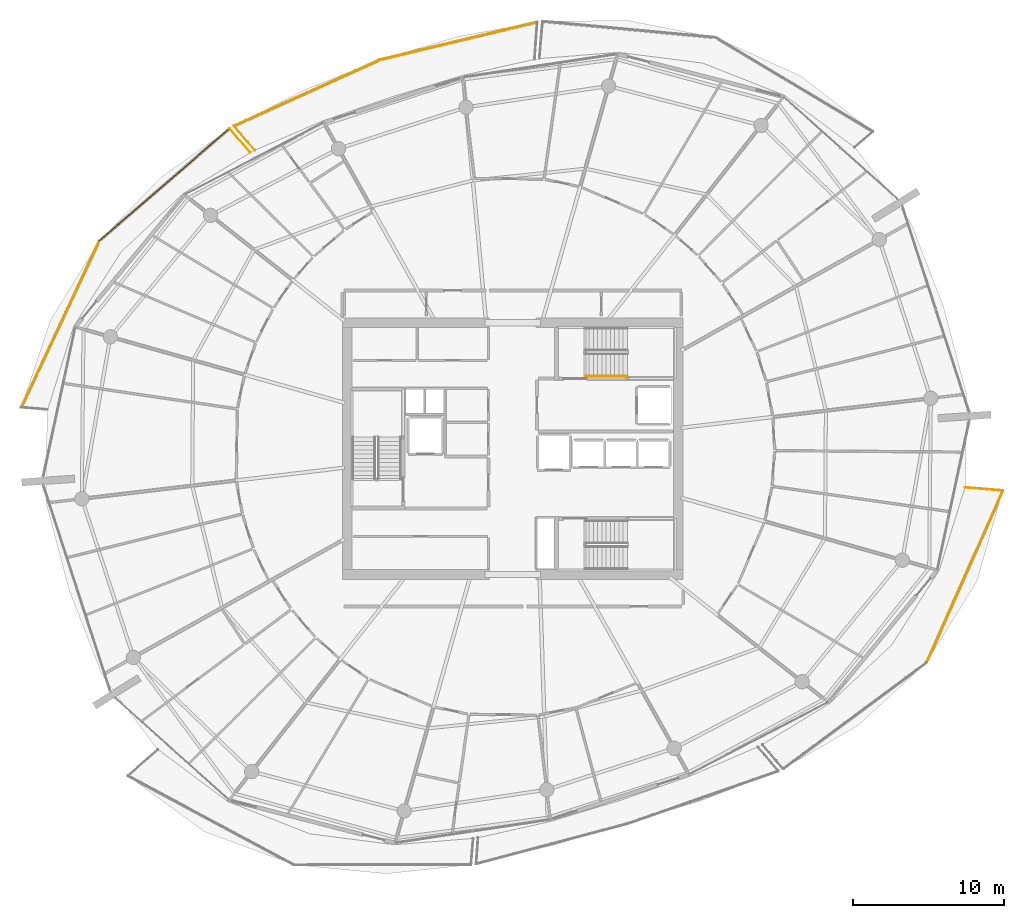
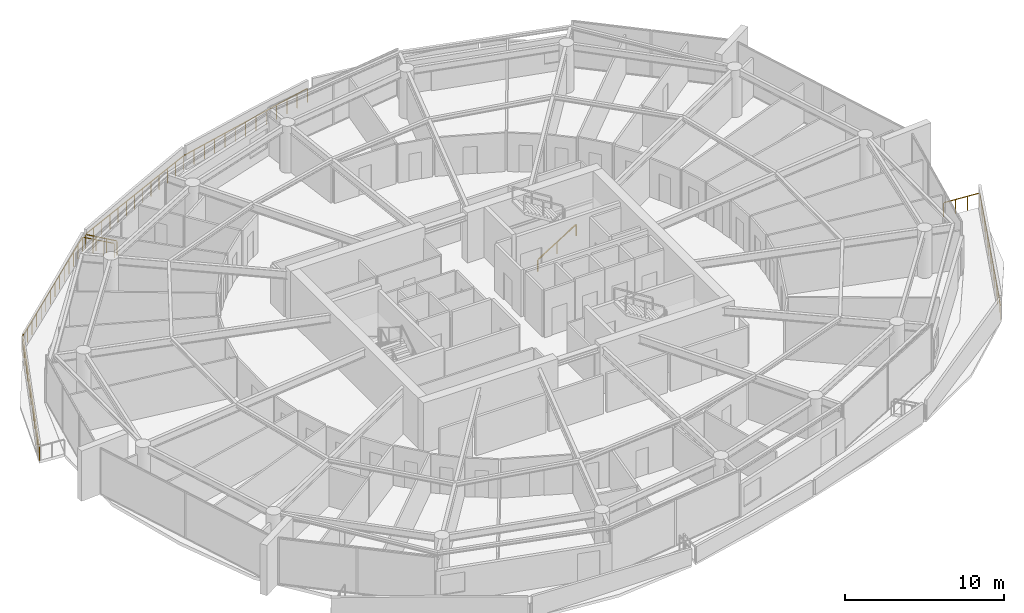
# One storey, part 29 of 31: 9 railings.
"""IFC4 building model written with IfcOpenShell, lengths in metres."""

from ifc_helpers import new_model, si_unit, direction, frame, origin, origin_2d, place, context, subcontext, project, spatial, rectangle, extrude, material, type_object, element, save


model = new_model("IFC4")

# Units and contexts
model_context = context("Model", 3, precision=1e-05, world=origin(), true_north=direction((0.0, 1.0)))
body_context = subcontext(model_context, "Body", "Model", "MODEL_VIEW")
ifc_project = project(units=[si_unit("LENGTHUNIT", "METRE"), si_unit("AREAUNIT", "SQUARE_METRE"), si_unit("VOLUMEUNIT", "CUBIC_METRE"), si_unit("PLANEANGLEUNIT", "RADIAN"), si_unit("MASSUNIT", "GRAM", prefix="KILO")], contexts=[model_context])

# Site, building, storey
site_placement = place(None, origin())
site = spatial("IfcSite", under=ifc_project, at=site_placement, CompositionType="ELEMENT")
building_placement = place(site_placement, origin())
building = spatial("IfcBuilding", under=site, at=building_placement, Name="Kazma Halo Residences", CompositionType="ELEMENT")
storey_placement = place(building_placement, frame((0.0, 0.0, 248.25)))
storey = spatial("IfcBuildingStorey", under=building, at=storey_placement, Name="L62", CompositionType="ELEMENT", Elevation=248.25)

# Railings
ifc_material_1 = material(Name="Aluminium AW-6063 T6 Brushed Cap Rail", Category="aluminium")
railing_type_1 = type_object("IfcRailingType", Name="RLG-BAL-CAP-1120", PredefinedType="BALUSTRADE", material=ifc_material_1)
railing_1_placement = place(storey_placement, frame((50.047607421875, 70.219482421875, 0.0)))
element("IfcRailing", 1, at=railing_1_placement, inside=storey, type_object=railing_type_1, Name="L62 NNW wave balcony guard 2", PredefinedType="BALUSTRADE", context=body_context, shape_type="SweptSolid", body=[
    extrude(rectangle(XDim=0.050048828125, YDim=0.050048828125, at=origin_2d()), frame((-0.041259765625, -0.010009765625, 1.09521484375), z_axis=(-0.972324307013, -0.233635275573, 0.0), x_axis=(0.233635275573, -0.972324307013, 0.0)), (0.0, 0.0, 1.0), 10.615234375),
    extrude(rectangle(XDim=0.0400390625, YDim=0.0400390625, at=origin_2d()), origin(), (0.0, 0.0, 1.0), 1.05810546875),
    extrude(rectangle(XDim=0.0400390625, YDim=0.0400390625, at=origin_2d()), frame((-0.866943359375, -0.208251953125, 0.0)), (0.0, 0.0, 1.0), 1.05810546875),
    extrude(rectangle(XDim=0.0400390625, YDim=0.0400390625, at=origin_2d()), frame((-1.734130859375, -0.416748046875, 0.0)), (0.0, 0.0, 1.0), 1.05810546875),
    extrude(rectangle(XDim=0.0400390625, YDim=0.0400390625, at=origin_2d()), frame((-2.60107421875, -0.625, 0.0)), (0.0, 0.0, 1.0), 1.05810546875),
    extrude(rectangle(XDim=0.0400390625, YDim=0.0400390625, at=origin_2d()), frame((-3.468017578125, -0.833251953125, 0.0)), (0.0, 0.0, 1.0), 1.05810546875),
    extrude(rectangle(XDim=0.0400390625, YDim=0.0400390625, at=origin_2d()), frame((-4.335205078125, -1.041748046875, 0.0)), (0.0, 0.0, 1.0), 1.05810546875),
    extrude(rectangle(XDim=0.0400390625, YDim=0.0400390625, at=origin_2d()), frame((-5.2021484375, -1.25, 0.0)), (0.0, 0.0, 1.0), 1.05810546875),
    extrude(rectangle(XDim=0.0400390625, YDim=0.0400390625, at=origin_2d()), frame((-6.069091796875, -1.458251953125, 0.0)), (0.0, 0.0, 1.0), 1.05810546875),
    extrude(rectangle(XDim=0.0400390625, YDim=0.0400390625, at=origin_2d()), frame((-6.936279296875, -1.666748046875, 0.0)), (0.0, 0.0, 1.0), 1.05810546875),
    extrude(rectangle(XDim=0.0400390625, YDim=0.0400390625, at=origin_2d()), frame((-7.80322265625, -1.875, 0.0)), (0.0, 0.0, 1.0), 1.05810546875),
    extrude(rectangle(XDim=0.0400390625, YDim=0.0400390625, at=origin_2d()), frame((-8.670166015625, -2.083251953125, 0.0)), (0.0, 0.0, 1.0), 1.05810546875),
    extrude(rectangle(XDim=0.0400390625, YDim=0.0400390625, at=origin_2d()), frame((-9.537353515625, -2.291748046875, 0.0)), (0.0, 0.0, 1.0), 1.05810546875),
    extrude(rectangle(XDim=0.0400390625, YDim=0.0400390625, at=origin_2d()), frame((-10.404296875, -2.5, 0.0)), (0.0, 0.0, 1.0), 1.05810546875),
])
railing_2_placement = place(storey_placement, frame((39.643310546875, 67.719482421875, 0.0)))
element("IfcRailing", 2, at=railing_2_placement, inside=storey, type_object=railing_type_1, Name="L62 NNW wave balcony guard 3", PredefinedType="BALUSTRADE", context=body_context, shape_type="SweptSolid", body=[
    extrude(rectangle(XDim=0.050048828125, YDim=0.050048828125, at=origin_2d()), frame((-0.038818359375, -0.017578125, 1.09521484375), z_axis=(-0.910908594926, -0.412608206039, 0.0), x_axis=(0.412608206039, -0.910908594926, 0.0)), (0.0, 0.0, 1.0), 10.510498046875),
    extrude(rectangle(XDim=0.0400390625, YDim=0.0400390625, at=origin_2d()), origin(), (0.0, 0.0, 1.0), 1.05810546875),
    extrude(rectangle(XDim=0.0400390625, YDim=0.0400390625, at=origin_2d()), frame((-0.80419921875, -0.3642578125, 0.0)), (0.0, 0.0, 1.0), 1.05810546875),
    extrude(rectangle(XDim=0.0400390625, YDim=0.0400390625, at=origin_2d()), frame((-1.608642578125, -0.728515625, 0.0)), (0.0, 0.0, 1.0), 1.05810546875),
    extrude(rectangle(XDim=0.0400390625, YDim=0.0400390625, at=origin_2d()), frame((-2.412841796875, -1.093017578125, 0.0)), (0.0, 0.0, 1.0), 1.05810546875),
    extrude(rectangle(XDim=0.0400390625, YDim=0.0400390625, at=origin_2d()), frame((-3.21728515625, -1.457275390625, 0.0)), (0.0, 0.0, 1.0), 1.05810546875),
    extrude(rectangle(XDim=0.0400390625, YDim=0.0400390625, at=origin_2d()), frame((-4.021484375, -1.821533203125, 0.0)), (0.0, 0.0, 1.0), 1.05810546875),
    extrude(rectangle(XDim=0.0400390625, YDim=0.0400390625, at=origin_2d()), frame((-4.82568359375, -2.18603515625, 0.0)), (0.0, 0.0, 1.0), 1.05810546875),
    extrude(rectangle(XDim=0.0400390625, YDim=0.0400390625, at=origin_2d()), frame((-5.630126953125, -2.55029296875, 0.0)), (0.0, 0.0, 1.0), 1.05810546875),
    extrude(rectangle(XDim=0.0400390625, YDim=0.0400390625, at=origin_2d()), frame((-6.434326171875, -2.91455078125, 0.0)), (0.0, 0.0, 1.0), 1.05810546875),
    extrude(rectangle(XDim=0.0400390625, YDim=0.0400390625, at=origin_2d()), frame((-7.23876953125, -3.27880859375, 0.0)), (0.0, 0.0, 1.0), 1.05810546875),
    extrude(rectangle(XDim=0.0400390625, YDim=0.0400390625, at=origin_2d()), frame((-8.04296875, -3.64306640625, 0.0)), (0.0, 0.0, 1.0), 1.05810546875),
    extrude(rectangle(XDim=0.0400390625, YDim=0.0400390625, at=origin_2d()), frame((-8.847412109375, -4.007568359375, 0.0)), (0.0, 0.0, 1.0), 1.05810546875),
    extrude(rectangle(XDim=0.0400390625, YDim=0.0400390625, at=origin_2d()), frame((-9.651611328125, -4.371826171875, 0.0)), (0.0, 0.0, 1.0), 1.05810546875),
])
railing_3_placement = place(storey_placement, frame((29.99169921875, 63.34765625, 0.0)))
element("IfcRailing", 3, at=railing_3_placement, inside=storey, type_object=railing_type_1, Name="L62 NNW wave balcony guard 4", PredefinedType="BALUSTRADE", context=body_context, shape_type="SweptSolid", body=[
    extrude(rectangle(XDim=0.050048828125, YDim=0.050048828125, at=origin_2d()), frame((0.02734375, -0.032470703125, 1.09521484375), z_axis=(0.64483932972, -0.764318152896, 0.0), x_axis=(0.764318152896, 0.64483932972, 0.0)), (0.0, 0.0, 1.0), 2.02978515625),
    extrude(rectangle(XDim=0.0400390625, YDim=0.0400390625, at=origin_2d()), origin(), (0.0, 0.0, 1.0), 1.05810546875),
    extrude(rectangle(XDim=0.0400390625, YDim=0.0400390625, at=origin_2d()), frame((0.45458984375, -0.538818359375, 0.0)), (0.0, 0.0, 1.0), 1.05810546875),
    extrude(rectangle(XDim=0.0400390625, YDim=0.0400390625, at=origin_2d()), frame((0.9091796875, -1.07763671875, 0.0)), (0.0, 0.0, 1.0), 1.05810546875),
    extrude(rectangle(XDim=0.0400390625, YDim=0.0400390625, at=origin_2d()), frame((1.36376953125, -1.616455078125, 0.0)), (0.0, 0.0, 1.0), 1.05810546875),
])
railing_4_placement = place(storey_placement, frame((31.06787109375, 61.58154296875, 0.0)))
element("IfcRailing", 4, at=railing_4_placement, inside=storey, type_object=railing_type_1, Name="L62 NW wave balcony guard 1", PredefinedType="BALUSTRADE", context=body_context, shape_type="SweptSolid", body=[
    extrude(rectangle(XDim=0.050048828125, YDim=0.050048828125, at=origin_2d()), frame((-0.02783203125, 0.0322265625, 1.09521484375), z_axis=(-0.654115991231, 0.756394255674, 0.0), x_axis=(-0.756394255674, -0.654115991231, 0.0)), (0.0, 0.0, 1.0), 2.015380859375),
    extrude(rectangle(XDim=0.0400390625, YDim=0.0400390625, at=origin_2d()), origin(), (0.0, 0.0, 1.0), 1.05810546875),
    extrude(rectangle(XDim=0.0400390625, YDim=0.0400390625, at=origin_2d()), frame((-0.4580078125, 0.529541015625, 0.0)), (0.0, 0.0, 1.0), 1.05810546875),
    extrude(rectangle(XDim=0.0400390625, YDim=0.0400390625, at=origin_2d()), frame((-0.916015625, 1.059326171875, 0.0)), (0.0, 0.0, 1.0), 1.05810546875),
    extrude(rectangle(XDim=0.0400390625, YDim=0.0400390625, at=origin_2d()), frame((-1.3740234375, 1.5888671875, 0.0)), (0.0, 0.0, 1.0), 1.05810546875),
])
railing_5_placement = place(storey_placement, frame((29.69384765625, 63.17041015625, 0.0)))
element("IfcRailing", 5, at=railing_5_placement, inside=storey, type_object=railing_type_1, Name="L62 NW wave balcony guard 2", PredefinedType="BALUSTRADE", context=body_context, shape_type="SweptSolid", body=[
    extrude(rectangle(XDim=0.050048828125, YDim=0.050048828125, at=origin_2d()), frame((-0.0322265625, -0.02783203125, 1.09521484375), z_axis=(-0.757187471417, -0.653197621803, 0.0), x_axis=(0.653197621803, -0.757187471417, 0.0)), (0.0, 0.0, 1.0), 11.313232421875),
    extrude(rectangle(XDim=0.0400390625, YDim=0.0400390625, at=origin_2d()), origin(), (0.0, 0.0, 1.0), 1.05810546875),
    extrude(rectangle(XDim=0.0400390625, YDim=0.0400390625, at=origin_2d()), frame((-0.663818359375, -0.57275390625, 0.0)), (0.0, 0.0, 1.0), 1.05810546875),
    extrude(rectangle(XDim=0.0400390625, YDim=0.0400390625, at=origin_2d()), frame((-1.327880859375, -1.1455078125, 0.0)), (0.0, 0.0, 1.0), 1.05810546875),
    extrude(rectangle(XDim=0.0400390625, YDim=0.0400390625, at=origin_2d()), frame((-1.99169921875, -1.71826171875, 0.0)), (0.0, 0.0, 1.0), 1.05810546875),
    extrude(rectangle(XDim=0.0400390625, YDim=0.0400390625, at=origin_2d()), frame((-2.655517578125, -2.290771484375, 0.0)), (0.0, 0.0, 1.0), 1.05810546875),
    extrude(rectangle(XDim=0.0400390625, YDim=0.0400390625, at=origin_2d()), frame((-3.319580078125, -2.863525390625, 0.0)), (0.0, 0.0, 1.0), 1.05810546875),
    extrude(rectangle(XDim=0.0400390625, YDim=0.0400390625, at=origin_2d()), frame((-3.9833984375, -3.436279296875, 0.0)), (0.0, 0.0, 1.0), 1.05810546875),
    extrude(rectangle(XDim=0.0400390625, YDim=0.0400390625, at=origin_2d()), frame((-4.647216796875, -4.009033203125, 0.0)), (0.0, 0.0, 1.0), 1.05810546875),
    extrude(rectangle(XDim=0.0400390625, YDim=0.0400390625, at=origin_2d()), frame((-5.31103515625, -4.581787109375, 0.0)), (0.0, 0.0, 1.0), 1.05810546875),
    extrude(rectangle(XDim=0.0400390625, YDim=0.0400390625, at=origin_2d()), frame((-5.97509765625, -5.154541015625, 0.0)), (0.0, 0.0, 1.0), 1.05810546875),
    extrude(rectangle(XDim=0.0400390625, YDim=0.0400390625, at=origin_2d()), frame((-6.638916015625, -5.72705078125, 0.0)), (0.0, 0.0, 1.0), 1.05810546875),
    extrude(rectangle(XDim=0.0400390625, YDim=0.0400390625, at=origin_2d()), frame((-7.302734375, -6.2998046875, 0.0)), (0.0, 0.0, 1.0), 1.05810546875),
    extrude(rectangle(XDim=0.0400390625, YDim=0.0400390625, at=origin_2d()), frame((-7.966796875, -6.87255859375, 0.0)), (0.0, 0.0, 1.0), 1.05810546875),
    extrude(rectangle(XDim=0.0400390625, YDim=0.0400390625, at=origin_2d()), frame((-8.630615234375, -7.4453125, 0.0)), (0.0, 0.0, 1.0), 1.05810546875),
])
railing_6_placement = place(storey_placement, frame((21.063232421875, 55.72509765625, 0.0)))
element("IfcRailing", 6, at=railing_6_placement, inside=storey, type_object=railing_type_1, Name="L62 NW wave balcony guard 3", PredefinedType="BALUSTRADE", context=body_context, shape_type="SweptSolid", body=[
    extrude(rectangle(XDim=0.050048828125, YDim=0.050048828125, at=origin_2d()), frame((-0.01806640625, -0.03857421875, 1.09521484375), z_axis=(-0.424183132305, -0.905576429832, 0.0), x_axis=(0.905576429832, -0.424183132305, 0.0)), (0.0, 0.0, 1.0), 12.064208984375),
    extrude(rectangle(XDim=0.0400390625, YDim=0.0400390625, at=origin_2d()), origin(), (0.0, 0.0, 1.0), 1.05810546875),
    extrude(rectangle(XDim=0.0400390625, YDim=0.0400390625, at=origin_2d()), frame((-0.3681640625, -0.785888671875, 0.0)), (0.0, 0.0, 1.0), 1.05810546875),
    extrude(rectangle(XDim=0.0400390625, YDim=0.0400390625, at=origin_2d()), frame((-0.736328125, -1.57177734375, 0.0)), (0.0, 0.0, 1.0), 1.05810546875),
    extrude(rectangle(XDim=0.0400390625, YDim=0.0400390625, at=origin_2d()), frame((-1.104248046875, -2.357666015625, 0.0)), (0.0, 0.0, 1.0), 1.05810546875),
    extrude(rectangle(XDim=0.0400390625, YDim=0.0400390625, at=origin_2d()), frame((-1.472412109375, -3.1435546875, 0.0)), (0.0, 0.0, 1.0), 1.05810546875),
    extrude(rectangle(XDim=0.0400390625, YDim=0.0400390625, at=origin_2d()), frame((-1.840576171875, -3.929443359375, 0.0)), (0.0, 0.0, 1.0), 1.05810546875),
    extrude(rectangle(XDim=0.0400390625, YDim=0.0400390625, at=origin_2d()), frame((-2.208740234375, -4.71533203125, 0.0)), (0.0, 0.0, 1.0), 1.05810546875),
    extrude(rectangle(XDim=0.0400390625, YDim=0.0400390625, at=origin_2d()), frame((-2.57666015625, -5.5009765625, 0.0)), (0.0, 0.0, 1.0), 1.05810546875),
    extrude(rectangle(XDim=0.0400390625, YDim=0.0400390625, at=origin_2d()), frame((-2.94482421875, -6.286865234375, 0.0)), (0.0, 0.0, 1.0), 1.05810546875),
    extrude(rectangle(XDim=0.0400390625, YDim=0.0400390625, at=origin_2d()), frame((-3.31298828125, -7.07275390625, 0.0)), (0.0, 0.0, 1.0), 1.05810546875),
    extrude(rectangle(XDim=0.0400390625, YDim=0.0400390625, at=origin_2d()), frame((-3.68115234375, -7.858642578125, 0.0)), (0.0, 0.0, 1.0), 1.05810546875),
    extrude(rectangle(XDim=0.0400390625, YDim=0.0400390625, at=origin_2d()), frame((-4.04931640625, -8.64453125, 0.0)), (0.0, 0.0, 1.0), 1.05810546875),
    extrude(rectangle(XDim=0.0400390625, YDim=0.0400390625, at=origin_2d()), frame((-4.417236328125, -9.430419921875, 0.0)), (0.0, 0.0, 1.0), 1.05810546875),
    extrude(rectangle(XDim=0.0400390625, YDim=0.0400390625, at=origin_2d()), frame((-4.785400390625, -10.21630859375, 0.0)), (0.0, 0.0, 1.0), 1.05810546875),
    extrude(rectangle(XDim=0.0400390625, YDim=0.0400390625, at=origin_2d()), frame((-5.153564453125, -11.002197265625, 0.0)), (0.0, 0.0, 1.0), 1.05810546875),
])
railing_7_placement = place(storey_placement, frame((75.79296875, 27.8388671875, 0.0)))
element("IfcRailing", 7, at=railing_7_placement, inside=storey, type_object=railing_type_1, Name="L62 SE wave balcony guard 3", PredefinedType="BALUSTRADE", context=body_context, shape_type="SweptSolid", body=[
    extrude(rectangle(XDim=0.050048828125, YDim=0.050048828125, at=origin_2d()), frame((0.017333984375, 0.038818359375, 1.09521484375), z_axis=(0.405326368951, 0.914172048705, 0.0), x_axis=(-0.914172048705, 0.405326368951, 0.0)), (0.0, 0.0, 1.0), 12.35791015625),
    extrude(rectangle(XDim=0.0400390625, YDim=0.0400390625, at=origin_2d()), origin(), (0.0, 0.0, 1.0), 1.05810546875),
    extrude(rectangle(XDim=0.0400390625, YDim=0.0400390625, at=origin_2d()), frame((0.3603515625, 0.8125, 0.0)), (0.0, 0.0, 1.0), 1.05810546875),
    extrude(rectangle(XDim=0.0400390625, YDim=0.0400390625, at=origin_2d()), frame((0.720458984375, 1.625, 0.0)), (0.0, 0.0, 1.0), 1.05810546875),
    extrude(rectangle(XDim=0.0400390625, YDim=0.0400390625, at=origin_2d()), frame((1.080810546875, 2.4375, 0.0)), (0.0, 0.0, 1.0), 1.05810546875),
    extrude(rectangle(XDim=0.0400390625, YDim=0.0400390625, at=origin_2d()), frame((1.44091796875, 3.25, 0.0)), (0.0, 0.0, 1.0), 1.05810546875),
    extrude(rectangle(XDim=0.0400390625, YDim=0.0400390625, at=origin_2d()), frame((1.80126953125, 4.0625, 0.0)), (0.0, 0.0, 1.0), 1.05810546875),
    extrude(rectangle(XDim=0.0400390625, YDim=0.0400390625, at=origin_2d()), frame((2.161376953125, 4.875, 0.0)), (0.0, 0.0, 1.0), 1.05810546875),
    extrude(rectangle(XDim=0.0400390625, YDim=0.0400390625, at=origin_2d()), frame((2.521728515625, 5.6875, 0.0)), (0.0, 0.0, 1.0), 1.05810546875),
    extrude(rectangle(XDim=0.0400390625, YDim=0.0400390625, at=origin_2d()), frame((2.882080078125, 6.5, 0.0)), (0.0, 0.0, 1.0), 1.05810546875),
    extrude(rectangle(XDim=0.0400390625, YDim=0.0400390625, at=origin_2d()), frame((3.2421875, 7.3125, 0.0)), (0.0, 0.0, 1.0), 1.05810546875),
    extrude(rectangle(XDim=0.0400390625, YDim=0.0400390625, at=origin_2d()), frame((3.6025390625, 8.125, 0.0)), (0.0, 0.0, 1.0), 1.05810546875),
    extrude(rectangle(XDim=0.0400390625, YDim=0.0400390625, at=origin_2d()), frame((3.962646484375, 8.9375, 0.0)), (0.0, 0.0, 1.0), 1.05810546875),
    extrude(rectangle(XDim=0.0400390625, YDim=0.0400390625, at=origin_2d()), frame((4.322998046875, 9.75, 0.0)), (0.0, 0.0, 1.0), 1.05810546875),
    extrude(rectangle(XDim=0.0400390625, YDim=0.0400390625, at=origin_2d()), frame((4.68310546875, 10.5625, 0.0)), (0.0, 0.0, 1.0), 1.05810546875),
    extrude(rectangle(XDim=0.0400390625, YDim=0.0400390625, at=origin_2d()), frame((5.04345703125, 11.375, 0.0)), (0.0, 0.0, 1.0), 1.05810546875),
])
railing_8_placement = place(storey_placement, frame((80.83642578125, 39.2138671875, 0.0)))
element("IfcRailing", 8, at=railing_8_placement, inside=storey, type_object=railing_type_1, Name="L62 SE wave balcony guard 4", PredefinedType="BALUSTRADE", context=body_context, shape_type="SweptSolid", body=[
    extrude(rectangle(XDim=0.050048828125, YDim=0.050048828125, at=origin_2d()), frame((-0.04248046875, 0.003662109375, 1.09521484375), z_axis=(-0.996420486685, 0.084535280881, 0.0), x_axis=(-0.084535280881, -0.996420486685, 0.0)), (0.0, 0.0, 1.0), 2.41015625),
    extrude(rectangle(XDim=0.0400390625, YDim=0.0400390625, at=origin_2d()), origin(), (0.0, 0.0, 1.0), 1.05810546875),
    extrude(rectangle(XDim=0.0400390625, YDim=0.0400390625, at=origin_2d()), frame((-0.828857421875, 0.0703125, 0.0)), (0.0, 0.0, 1.0), 1.05810546875),
    extrude(rectangle(XDim=0.0400390625, YDim=0.0400390625, at=origin_2d()), frame((-1.657470703125, 0.140625, 0.0)), (0.0, 0.0, 1.0), 1.05810546875),
    extrude(rectangle(XDim=0.0400390625, YDim=0.0400390625, at=origin_2d()), frame((-2.486328125, 0.2109375, 0.0)), (0.0, 0.0, 1.0), 1.05810546875),
])
ifc_material_2 = material(Name="Brushed Stainless Steel", Category="steel")
railing_type_2 = type_object("IfcRailingType", Name="RLG-STAIR-HND-900", PredefinedType="HANDRAIL", material=ifc_material_2)
railing_9_placement = place(storey_placement, frame((53.199951171875, 46.800048828125, 0.175048828125)))
element("IfcRailing", 9, at=railing_9_placement, inside=storey, type_object=railing_type_2, Name="L62 ST-02 stair handrail 1", PredefinedType="HANDRAIL", context=body_context, shape_type="SweptSolid", body=[
    extrude(rectangle(XDim=0.050048828125, YDim=0.050048828125, at=origin_2d()), frame((0.0361328125, 0.0, 0.8974609375), z_axis=(0.848002457836, 0.0, 0.529992293815), x_axis=(0.0, 1.0, 0.0)), (0.0, 0.0, 1.0), 3.216796875),
    extrude(rectangle(XDim=0.0400390625, YDim=0.0400390625, at=origin_2d()), origin(), (0.0, 0.0, 1.0), 0.837890625),
    extrude(rectangle(XDim=0.0400390625, YDim=0.0400390625, at=origin_2d()), frame((1.39990234375, 0.0, 0.875)), (0.0, 0.0, 1.0), 0.837890625),
    extrude(rectangle(XDim=0.0400390625, YDim=0.0400390625, at=origin_2d()), frame((2.800048828125, 0.0, 1.75)), (0.0, 0.0, 1.0), 0.837890625),
])

save(model, "model.ifc")
